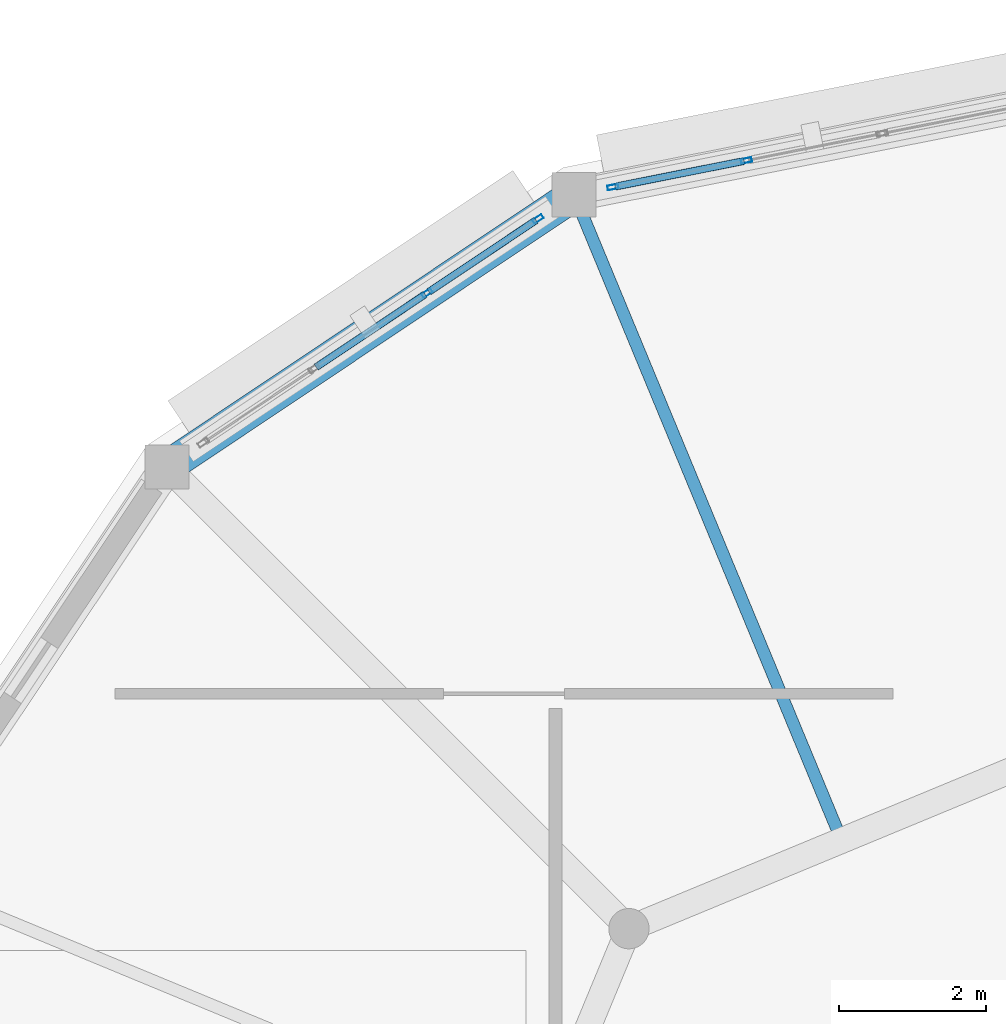
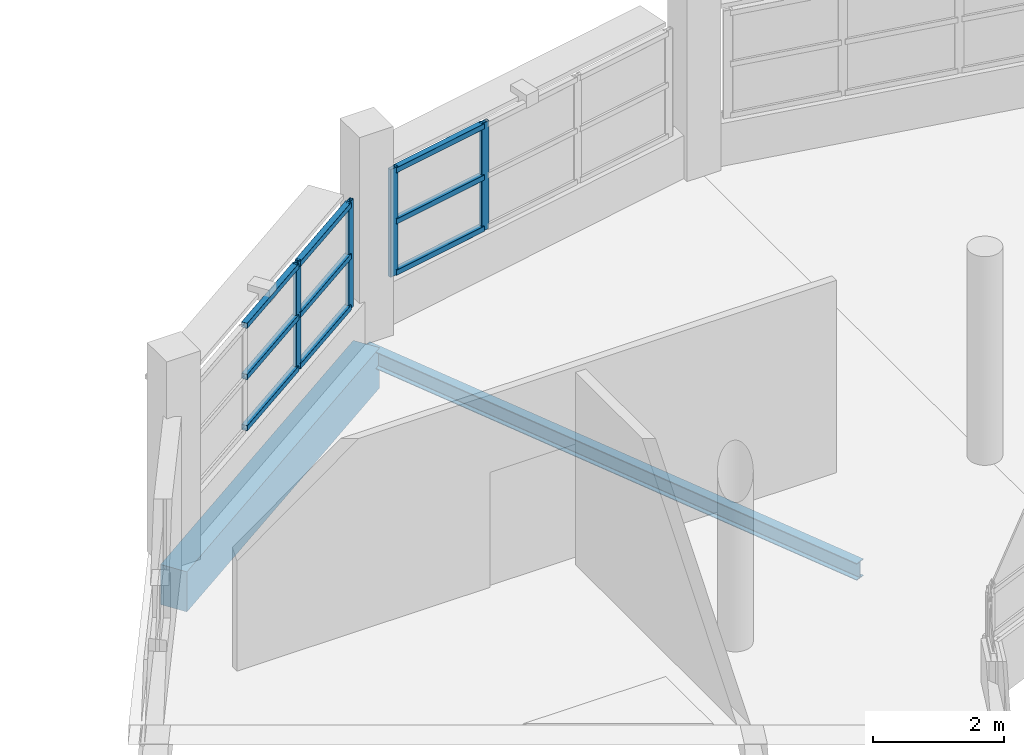
# One storey, part 77 of 121: 13 members, 2 beams, 2 elements without a shape of their own.
"""IFC4 building model written with IfcOpenShell, lengths in metres."""

from ifc_helpers import new_model, si_unit, direction, frame, origin, origin_2d, place, context, subcontext, project, spatial, rectangle, hollow_rectangle, i_section, extrude, material, layer, layer_set, material_profile, profile_set, type_object, element, aggregate, save


model = new_model("IFC4")

# Units and contexts
model_context = context("Model", 3, precision=1e-05, world=origin(), true_north=direction((0.0, 1.0)))
body_context = subcontext(model_context, "Body", "Model", "MODEL_VIEW")
ifc_project = project(units=[si_unit("LENGTHUNIT", "METRE"), si_unit("AREAUNIT", "SQUARE_METRE"), si_unit("VOLUMEUNIT", "CUBIC_METRE"), si_unit("PLANEANGLEUNIT", "RADIAN"), si_unit("MASSUNIT", "GRAM", prefix="KILO")], contexts=[model_context])

# Site, building, storey
site_placement = place(None, origin())
site = spatial("IfcSite", under=ifc_project, at=site_placement, CompositionType="ELEMENT")
building_placement = place(site_placement, origin())
building = spatial("IfcBuilding", under=site, at=building_placement, Name="Vespera Passage Community Centre", CompositionType="ELEMENT")
storey_placement = place(building_placement, frame((0.0, 0.0, 8.699951171875)))
storey = spatial("IfcBuildingStorey", under=building, at=storey_placement, Name="L02", CompositionType="ELEMENT", Elevation=8.699951171875)

# Beams
ifc_material_1 = material(Name="Steel ASTM A992 Grade 50", Category="steel")
ifc_material_profile_1 = material_profile(ifc_material_1, i_section(OverallWidth=0.16650390625, OverallDepth=0.3173828125, WebThickness=0.007568359375, FlangeThickness=0.01318359375, FilletRadius=0.007568359375, at=origin_2d()), Name="W12X35")
ifc_profile_set_1 = profile_set([ifc_material_profile_1], Name="Steel ASTM A992 Grade 50")
beam_type_1 = type_object("IfcBeamType", Name="BM-J-W12X35", PredefinedType="JOIST", material=ifc_profile_set_1)
beam_1_placement = place(storey_placement, frame((138.100830078125, 31.999267578125, -0.398681640625), z_axis=(-0.382690630849, 0.923876550769, 0.0), x_axis=(-0.923876550769, -0.382690630849, 0.0)))
element("IfcBeam", 1, at=beam_1_placement, inside=storey, type_object=beam_type_1, Name="V3 L02 Secondary Joist 3", PredefinedType="JOIST", context=body_context, shape_type="SweptSolid", body=[
    extrude(i_section(OverallWidth=0.16650390625, OverallDepth=0.3173828125, WebThickness=0.007568359375, FlangeThickness=0.01318359375, FilletRadius=0.007568359375, at=origin_2d()), origin(), (0.0, 0.0, 1.0), 9.524169921875),
])
ifc_material_2 = material(Name="Concrete f'c 35 MPa", Category="concrete")
ifc_material_profile_2 = material_profile(ifc_material_2, rectangle(XDim=0.449951171875, YDim=0.75, at=origin_2d()), Name="RC450X750")
ifc_profile_set_2 = profile_set([ifc_material_profile_2], Name="Concrete f'c 35 MPa")
beam_type_2 = type_object("IfcBeamType", Name="BM-SP-450X750E", PredefinedType="SPANDREL", material=ifc_profile_set_2)
beam_2_placement = place(storey_placement, frame((134.4560546875, 40.79833984375, -0.614990234375), z_axis=(-0.831470004276, -0.55556964639, 0.0), x_axis=(0.55556964639, -0.831470004276, 0.0)))
element("IfcBeam", 2, at=beam_2_placement, inside=storey, type_object=beam_type_2, Name="V3 L02 Spandrel 6", PredefinedType="SPANDREL", context=body_context, shape_type="SweptSolid", body=[
    extrude(rectangle(XDim=0.449951171875, YDim=0.75, at=origin_2d()), origin(), (0.0, 0.0, 1.0), 6.672119140625),
])

# Curtain wall, members
ifc_material_3 = material(Name="Anodized aluminium 6063-T6", Category="aluminium")
ifc_layer_1 = layer(ifc_material_3, 0.159912109375)
ifc_layer_set_1 = layer_set([ifc_layer_1], Name="Anodized aluminium 6063-T6")
curtain_wall_type_1 = type_object("IfcCurtainWallType", Name="CW-108E", PredefinedType="NOTDEFINED", material=ifc_layer_set_1)
curtain_wall_1_placement = place(storey_placement, origin())
curtain_wall_1 = element("IfcCurtainWall", 3, at=curtain_wall_1_placement, inside=storey, type_object=curtain_wall_type_1, Name="Dining Drum Ribbon Curtain Wall L02.5", PredefinedType="NOTDEFINED")
ifc_material_4 = material(Name="Anodized aluminium 6063-T6", Category="aluminium")
ifc_material_profile_3 = material_profile(ifc_material_4, hollow_rectangle(XDim=0.06494140625, YDim=0.14990234375, WallThickness=0.00390625, InnerFilletRadius=0.001953125, OuterFilletRadius=0.00390625, at=origin_2d()), Name="ALU150X65X4")
ifc_profile_set_3 = profile_set([ifc_material_profile_3], Name="Anodized aluminium 6063-T6")
member_type_1 = type_object("IfcMemberType", Name="MB-CWM-150E", PredefinedType="MULLION", material=ifc_profile_set_3)
member_1_placement = place(storey_placement, frame((134.984130859375, 40.9033203125, 0.800048828125), z_axis=(0.0, 0.0, 1.0), x_axis=(-0.195096778691, 0.980783996069, 0.0)))
member_1 = element("IfcMember", 4, at=member_1_placement, type_object=member_type_1, Name="CW-108E mullion 1", PredefinedType="MULLION", context=body_context, shape_type="SweptSolid", body=[
    extrude(hollow_rectangle(XDim=0.06494140625, YDim=0.14990234375, WallThickness=0.00390625, InnerFilletRadius=0.001953125, OuterFilletRadius=0.00390625, at=origin_2d()), origin(), (0.0, 0.0, 1.0), 2.014892578125),
])
member_2_placement = place(storey_placement, frame((136.802734375, 41.26513671875, 0.800048828125), z_axis=(0.0, 0.0, 1.0), x_axis=(-0.195096778691, 0.980783996069, 0.0)))
member_2 = element("IfcMember", 5, at=member_2_placement, type_object=member_type_1, Name="CW-108E mullion 2", PredefinedType="MULLION", context=body_context, shape_type="SweptSolid", body=[
    extrude(hollow_rectangle(XDim=0.06494140625, YDim=0.14990234375, WallThickness=0.00390625, InnerFilletRadius=0.001953125, OuterFilletRadius=0.00390625, at=origin_2d()), origin(), (0.0, 0.0, 1.0), 2.014892578125),
])

ifc_material_5 = material(Name="Anodized aluminium 6063-T6", Category="aluminium")
ifc_layer_2 = layer(ifc_material_5, 0.159912109375)
ifc_layer_set_2 = layer_set([ifc_layer_2], Name="Anodized aluminium 6063-T6")
curtain_wall_type_2 = type_object("IfcCurtainWallType", Name="CW-109E", PredefinedType="NOTDEFINED", material=ifc_layer_set_2)
curtain_wall_2_placement = place(storey_placement, origin())
curtain_wall_2 = element("IfcCurtainWall", 6, at=curtain_wall_2_placement, inside=storey, type_object=curtain_wall_type_2, Name="Dining Drum Ribbon Curtain Wall L02.6", PredefinedType="NOTDEFINED")
member_3_placement = place(storey_placement, frame((132.451416015625, 39.458740234375, 0.800048828125), z_axis=(0.0, 0.0, 1.0), x_axis=(-0.555564700918, 0.831473308708, 0.0)))
member_3 = element("IfcMember", 7, at=member_3_placement, type_object=member_type_1, Name="CW-109E mullion 3", PredefinedType="MULLION", context=body_context, shape_type="SweptSolid", body=[
    extrude(hollow_rectangle(XDim=0.06494140625, YDim=0.14990234375, WallThickness=0.00390625, InnerFilletRadius=0.001953125, OuterFilletRadius=0.00390625, at=origin_2d()), origin(), (0.0, 0.0, 1.0), 2.014892578125),
])
member_4_placement = place(storey_placement, frame((133.962890625, 40.46875, 0.800048828125), z_axis=(0.0, 0.0, 1.0), x_axis=(-0.555564700918, 0.831473308708, 0.0)))
member_4 = element("IfcMember", 8, at=member_4_placement, type_object=member_type_1, Name="CW-109E mullion 4", PredefinedType="MULLION", context=body_context, shape_type="SweptSolid", body=[
    extrude(hollow_rectangle(XDim=0.06494140625, YDim=0.14990234375, WallThickness=0.00390625, InnerFilletRadius=0.001953125, OuterFilletRadius=0.00390625, at=origin_2d()), origin(), (0.0, 0.0, 1.0), 2.014892578125),
])

# Member
ifc_material_6 = material(Name="Anodized aluminium 6063-T6", Category="aluminium")
ifc_material_profile_4 = material_profile(ifc_material_6, hollow_rectangle(XDim=0.10009765625, YDim=0.10009765625, WallThickness=0.00390625, InnerFilletRadius=0.001953125, OuterFilletRadius=0.00390625, at=origin_2d()), Name="ALU100X100X4")
ifc_profile_set_4 = profile_set([ifc_material_profile_4], Name="Anodized aluminium 6063-T6")
member_type_2 = type_object("IfcMemberType", Name="MB-CWT-100E", PredefinedType="USERDEFINED", material=ifc_profile_set_4)
member_5_placement = place(storey_placement, frame((135.01611328125, 40.90966796875, 0.85009765625), z_axis=(0.980779590975, 0.195118922523, 0.0), x_axis=(-0.195118922523, 0.980779590975, 0.0)))
member_5 = element("IfcMember", 9, at=member_5_placement, type_object=member_type_2, Name="CW-108E transom 1.1", ObjectType="TRANSOM", PredefinedType="USERDEFINED", context=body_context, shape_type="SweptSolid", body=[
    extrude(hollow_rectangle(XDim=0.10009765625, YDim=0.10009765625, WallThickness=0.00390625, InnerFilletRadius=0.001953125, OuterFilletRadius=0.00390625, at=origin_2d()), origin(), (0.0, 0.0, 1.0), 1.789306640625),
])

member_6_placement = place(storey_placement, frame((135.01611328125, 40.90966796875, 1.8076171875), z_axis=(0.980779590975, 0.195118922523, 0.0), x_axis=(-0.195118922523, 0.980779590975, 0.0)))
member_6 = element("IfcMember", 10, at=member_6_placement, type_object=member_type_2, Name="CW-108E transom 1.2", ObjectType="TRANSOM", PredefinedType="USERDEFINED", context=body_context, shape_type="SweptSolid", body=[
    extrude(hollow_rectangle(XDim=0.10009765625, YDim=0.10009765625, WallThickness=0.00390625, InnerFilletRadius=0.001953125, OuterFilletRadius=0.00390625, at=origin_2d()), origin(), (0.0, 0.0, 1.0), 1.789306640625),
])

member_7_placement = place(storey_placement, frame((135.01611328125, 40.90966796875, 2.76513671875), z_axis=(0.980779590975, 0.195118922523, 0.0), x_axis=(-0.195118922523, 0.980779590975, 0.0)))
member_7 = element("IfcMember", 11, at=member_7_placement, type_object=member_type_2, Name="CW-108E transom 1.3", ObjectType="TRANSOM", PredefinedType="USERDEFINED", context=body_context, shape_type="SweptSolid", body=[
    extrude(hollow_rectangle(XDim=0.10009765625, YDim=0.10009765625, WallThickness=0.00390625, InnerFilletRadius=0.001953125, OuterFilletRadius=0.00390625, at=origin_2d()), origin(), (0.0, 0.0, 1.0), 1.789306640625),
])

aggregate(curtain_wall_1, [member_1, member_2, member_5, member_6, member_7])

member_8_placement = place(storey_placement, frame((130.940185546875, 38.448974609375, 0.85009765625), z_axis=(0.831502848374, 0.555520488502, 0.0), x_axis=(-0.555520488502, 0.831502848374, 0.0)))
member_8 = element("IfcMember", 12, at=member_8_placement, type_object=member_type_2, Name="CW-109E transom 2.1", ObjectType="TRANSOM", PredefinedType="USERDEFINED", context=body_context, shape_type="SweptSolid", body=[
    extrude(hollow_rectangle(XDim=0.10009765625, YDim=0.10009765625, WallThickness=0.00390625, InnerFilletRadius=0.001953125, OuterFilletRadius=0.00390625, at=origin_2d()), origin(), (0.0, 0.0, 1.0), 1.78515625),
])

member_9_placement = place(storey_placement, frame((130.940185546875, 38.448974609375, 1.8076171875), z_axis=(0.831502848374, 0.555520488502, 0.0), x_axis=(-0.555520488502, 0.831502848374, 0.0)))
member_9 = element("IfcMember", 13, at=member_9_placement, type_object=member_type_2, Name="CW-109E transom 2.2", ObjectType="TRANSOM", PredefinedType="USERDEFINED", context=body_context, shape_type="SweptSolid", body=[
    extrude(hollow_rectangle(XDim=0.10009765625, YDim=0.10009765625, WallThickness=0.00390625, InnerFilletRadius=0.001953125, OuterFilletRadius=0.00390625, at=origin_2d()), origin(), (0.0, 0.0, 1.0), 1.78515625),
])

member_10_placement = place(storey_placement, frame((130.940185546875, 38.448974609375, 2.76513671875), z_axis=(0.831502848374, 0.555520488502, 0.0), x_axis=(-0.555520488502, 0.831502848374, 0.0)))
member_10 = element("IfcMember", 14, at=member_10_placement, type_object=member_type_2, Name="CW-109E transom 2.3", ObjectType="TRANSOM", PredefinedType="USERDEFINED", context=body_context, shape_type="SweptSolid", body=[
    extrude(hollow_rectangle(XDim=0.10009765625, YDim=0.10009765625, WallThickness=0.00390625, InnerFilletRadius=0.001953125, OuterFilletRadius=0.00390625, at=origin_2d()), origin(), (0.0, 0.0, 1.0), 1.78515625),
])

member_11_placement = place(storey_placement, frame((132.478515625, 39.476806640625, 0.85009765625), z_axis=(0.831428319751, 0.555632026719, 0.0), x_axis=(-0.555632026719, 0.831428319751, 0.0)))
member_11 = element("IfcMember", 15, at=member_11_placement, type_object=member_type_2, Name="CW-109E transom 3.1", ObjectType="TRANSOM", PredefinedType="USERDEFINED", context=body_context, shape_type="SweptSolid", body=[
    extrude(hollow_rectangle(XDim=0.10009765625, YDim=0.10009765625, WallThickness=0.00390625, InnerFilletRadius=0.001953125, OuterFilletRadius=0.00390625, at=origin_2d()), origin(), (0.0, 0.0, 1.0), 1.752685546875),
])

member_12_placement = place(storey_placement, frame((132.478515625, 39.476806640625, 1.8076171875), z_axis=(0.831428319751, 0.555632026719, 0.0), x_axis=(-0.555632026719, 0.831428319751, 0.0)))
member_12 = element("IfcMember", 16, at=member_12_placement, type_object=member_type_2, Name="CW-109E transom 3.2", ObjectType="TRANSOM", PredefinedType="USERDEFINED", context=body_context, shape_type="SweptSolid", body=[
    extrude(hollow_rectangle(XDim=0.10009765625, YDim=0.10009765625, WallThickness=0.00390625, InnerFilletRadius=0.001953125, OuterFilletRadius=0.00390625, at=origin_2d()), origin(), (0.0, 0.0, 1.0), 1.752685546875),
])

member_13_placement = place(storey_placement, frame((132.478515625, 39.476806640625, 2.76513671875), z_axis=(0.831428319751, 0.555632026719, 0.0), x_axis=(-0.555632026719, 0.831428319751, 0.0)))
member_13 = element("IfcMember", 17, at=member_13_placement, type_object=member_type_2, Name="CW-109E transom 3.3", ObjectType="TRANSOM", PredefinedType="USERDEFINED", context=body_context, shape_type="SweptSolid", body=[
    extrude(hollow_rectangle(XDim=0.10009765625, YDim=0.10009765625, WallThickness=0.00390625, InnerFilletRadius=0.001953125, OuterFilletRadius=0.00390625, at=origin_2d()), origin(), (0.0, 0.0, 1.0), 1.752685546875),
])

aggregate(curtain_wall_2, [member_3, member_4, member_8, member_9, member_10, member_11, member_12, member_13])

save(model, "model.ifc")
